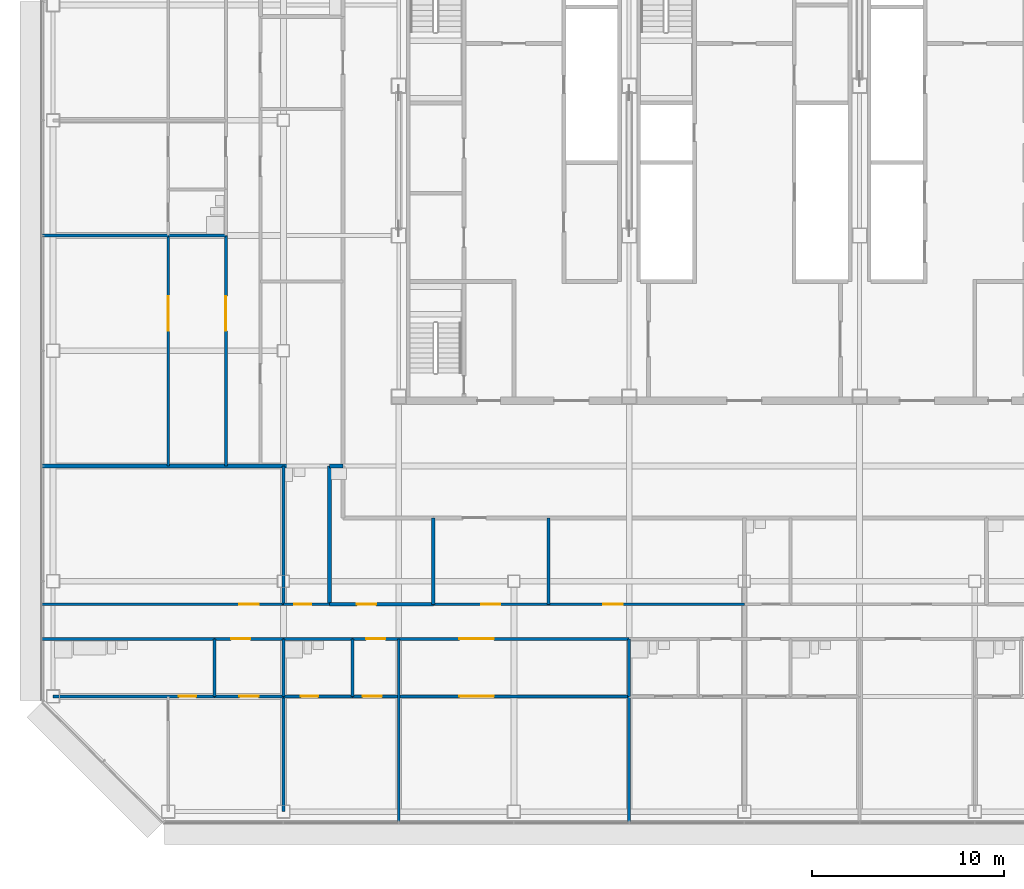
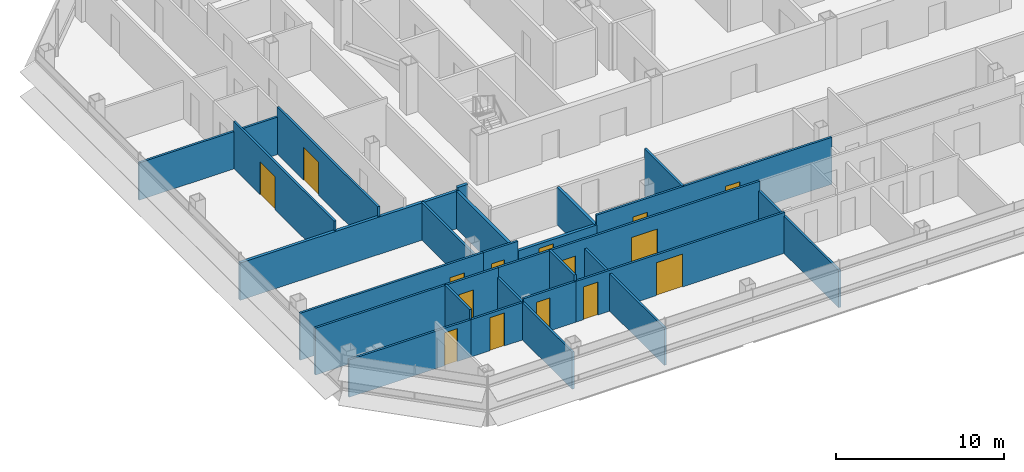
# One storey, part 20 of 27: 29 walls, 15 doors, 15 openings.
"""IFC4 building model written with IfcOpenShell, lengths in metres."""

import ifcopenshell
import ifcopenshell.guid

model = None  # the IFC model being written
_history = None  # IfcOwnerHistory: only IFC2X3 demands one
_inside = {}  # id of a spatial element -> (the spatial element, [elements in it])
_under = {}  # id of a project, library or spatial element -> (it, [spatial elements below it])
_declared = {}  # id of a project -> (the project, [libraries it declares])
_typed = {}  # id of a type object -> (the type object, [elements of that type])
_made_of = {}  # id of a material, layer set ... -> (it, [elements and type objects made of it])


def new_model(schema):
    """Start an empty IFC model of exactly this schema.

    Asked for "IFC4X3", IfcOpenShell would pick the latest addendum, in which some entities
    have other attributes; the version numbers below select the first issue.
    IFC2X3 requires an IfcOwnerHistory on every rooted entity: one is made here for all.
    """
    global model, _history
    if schema == "IFC4X3":
        model = ifcopenshell.file(schema_version=(4, 3, 0, 0))
    else:
        model = ifcopenshell.file(schema=schema)
    _inside.clear()
    _under.clear()
    _declared.clear()
    _typed.clear()
    _made_of.clear()
    _history = None
    if model.schema == "IFC2X3":
        org = make("IfcOrganization", Name="unknown")
        user = make(
            "IfcPersonAndOrganization",
            ThePerson=make("IfcPerson", FamilyName="unknown"),
            TheOrganization=org,
        )
        app = make(
            "IfcApplication",
            ApplicationDeveloper=org,
            Version="unknown",
            ApplicationFullName="unknown",
            ApplicationIdentifier="unknown",
        )
        _history = make(
            "IfcOwnerHistory",
            OwningUser=user,
            OwningApplication=app,
            ChangeAction="ADDED",
            CreationDate=0,
        )
    return model


def make(cls, **values):
    """One entity of the class cls with the attributes given. An attribute that is None is left unset."""
    return model.create_entity(
        cls, **{name: value for name, value in values.items() if value is not None}
    )


def rooted(cls, **values):
    """An entity with a GlobalId (a new one), such as an element, a storey or a relation."""
    return make(cls, GlobalId=ifcopenshell.guid.new(), OwnerHistory=_history, **values)


def si_unit(unit_type, name, prefix=None):
    """IfcSIUnit, for example si_unit("LENGTHUNIT", "METRE", prefix="MILLI")."""
    return make("IfcSIUnit", UnitType=unit_type, Prefix=prefix, Name=name)


def assignment(units):
    """IfcUnitAssignment: the units of a project."""
    return None if units is None else make("IfcUnitAssignment", Units=units)


def point(xyz):
    """IfcCartesianPoint."""
    return None if xyz is None else make("IfcCartesianPoint", Coordinates=xyz)


def direction(xyz):
    """IfcDirection."""
    return None if xyz is None else make("IfcDirection", DirectionRatios=xyz)


def frame(location, z_axis=None, x_axis=None):
    """IfcAxis2Placement3D, a coordinate frame: its origin and axes. An axis left out is left unset."""
    return make(
        "IfcAxis2Placement3D",
        Location=point(location),
        Axis=direction(z_axis),
        RefDirection=direction(x_axis),
    )


def frame_2d(location, x_axis=None):
    """IfcAxis2Placement2D, a coordinate frame in the plane: its origin and x axis."""
    return make(
        "IfcAxis2Placement2D", Location=point(location), RefDirection=direction(x_axis)
    )


def origin():
    """The frame at (0, 0, 0) with its axes left unset."""
    return frame((0.0, 0.0, 0.0))


def place(relative_to, where):
    """IfcLocalPlacement: puts the frame where relative to a parent placement (None: the world)."""
    return make(
        "IfcLocalPlacement", PlacementRelTo=relative_to, RelativePlacement=where
    )


def context(
    kind, dimensions, precision=None, world=None, true_north=None, identifier=None
):
    """IfcGeometricRepresentationContext, for example the 3D "Model" context."""
    return make(
        "IfcGeometricRepresentationContext",
        ContextIdentifier=identifier,
        ContextType=kind,
        CoordinateSpaceDimension=dimensions,
        Precision=precision,
        WorldCoordinateSystem=world,
        TrueNorth=true_north,
    )


def subcontext(parent, identifier, kind, view, scale=None):
    """IfcGeometricRepresentationSubContext, for example "Body" below "Model"."""
    return make(
        "IfcGeometricRepresentationSubContext",
        ContextIdentifier=identifier,
        ContextType=kind,
        ParentContext=parent,
        TargetScale=scale,
        TargetView=view,
    )


def project(units=None, contexts=None):
    """IfcProject with its units and contexts."""
    return rooted(
        "IfcProject",
        Name="project",
        RepresentationContexts=contexts,
        UnitsInContext=assignment(units),
    )


def spatial(cls, under=None, at=None, **own):
    """A site, building, storey or space (cls), placed at a placement, below another one or the project."""
    s = rooted(cls, ObjectPlacement=at, **own)
    if under is not None:
        _under.setdefault(under.id(), (under, []))[1].append(s)
    return s


def profile(cls, at=None, kind="AREA", **sizes):
    """A parametric profile (cls). Its sizes go by their IFC names, for example OverallWidth=200.0."""
    return make(cls, ProfileType=kind, Position=at, **sizes)


def rectangle(**sizes):
    """IfcRectangleProfileDef."""
    return profile("IfcRectangleProfileDef", **sizes)


def extrude(swept, where, along, depth):
    """IfcExtrudedAreaSolid: the profile swept, set in the frame where, extruded along a direction by depth."""
    return make(
        "IfcExtrudedAreaSolid",
        SweptArea=swept,
        Position=where,
        ExtrudedDirection=direction(along),
        Depth=depth,
    )


def shape(context_of_items, identifier, shape_type, items):
    """IfcShapeRepresentation: the items that make up one representation, for example the "Body"."""
    return make(
        "IfcShapeRepresentation",
        ContextOfItems=context_of_items,
        RepresentationIdentifier=identifier,
        RepresentationType=shape_type,
        Items=items,
    )


def material(Name=None, Category=None):
    """IfcMaterial."""
    return make("IfcMaterial", Name=Name, Category=Category)


def layer(
    of_material, thickness, ventilated=None, Name=None, Category=None, Priority=None
):
    """IfcMaterialLayer: one layer of a wall or slab, of a material (None: an air gap)."""
    return make(
        "IfcMaterialLayer",
        Material=of_material,
        LayerThickness=thickness,
        IsVentilated=ventilated,
        Name=Name,
        Category=Category,
        Priority=Priority,
    )


def layer_set(layers, Name=None):
    """IfcMaterialLayerSet."""
    return make("IfcMaterialLayerSet", MaterialLayers=layers, LayerSetName=Name)


def made_of(thing, what):
    """Note that an element or type object is made of a material, layer set ...; save() writes the relation."""
    if what is not None:
        _made_of.setdefault(what.id(), (what, []))[1].append(thing)
    return thing


def type_object(cls, material=None, **own):
    """A type object (cls), such as IfcWallType, which elements share."""
    return made_of(rooted(cls, **own), material)


def element(
    cls,
    number,
    at=None,
    inside=None,
    cuts=None,
    type_object=None,
    material=None,
    context=None,
    identifier="Body",
    shape_type=None,
    held_by="IfcProductDefinitionShape",
    body=None,
    shapes=None,
    **own,
):
    """One element of the class cls, such as IfcWall. Its Tag is "e" and its number.

    at: its placement. inside: the storey or other place that contains it. cuts: it is an
    opening in that element (IfcRelVoidsElement). A single representation is given by context,
    identifier, shape_type and body (its items); several are given by shapes. held_by: the class
    of the entity that holds the representations. save() writes the other relations.
    """
    e = rooted(cls, Tag="e%d" % number, ObjectPlacement=at, **own)
    if body is not None:
        shapes = [shape(context, identifier, shape_type, body)]
    if shapes is not None:
        e.Representation = make(held_by, Representations=shapes)
    if inside is not None:
        _inside.setdefault(inside.id(), (inside, []))[1].append(e)
    if cuts is not None:
        rooted(
            "IfcRelVoidsElement", RelatingBuildingElement=cuts, RelatedOpeningElement=e
        )
    if type_object is not None:
        _typed.setdefault(type_object.id(), (type_object, []))[1].append(e)
    return made_of(e, material)


def fill(opening, filler):
    """IfcRelFillsElement: the door or window that sits in an opening."""
    return rooted(
        "IfcRelFillsElement",
        RelatingOpeningElement=opening,
        RelatedBuildingElement=filler,
    )


def aggregate(whole, parts):
    """IfcRelAggregates: a whole, such as a stair, and the parts it consists of."""
    return rooted("IfcRelAggregates", RelatingObject=whole, RelatedObjects=parts)


def save(model, path):
    """Write the relations noted so far, then the file.

    IfcRelAggregates (storeys below a building ...), IfcRelContainedInSpatialStructure (elements
    in a storey), IfcRelDefinesByType, IfcRelAssociatesMaterial and IfcRelDeclares: one each for
    every whole, place, type object, material and project.
    """
    for whole, parts in _under.values():
        aggregate(whole, parts)
    for where, things in _inside.values():
        rooted(
            "IfcRelContainedInSpatialStructure",
            RelatedElements=things,
            RelatingStructure=where,
        )
    for kind, things in _typed.values():
        rooted("IfcRelDefinesByType", RelatedObjects=things, RelatingType=kind)
    for what, things in _made_of.values():
        rooted("IfcRelAssociatesMaterial", RelatedObjects=things, RelatingMaterial=what)
    for by, libraries in _declared.values():
        rooted("IfcRelDeclares", RelatingContext=by, RelatedDefinitions=libraries)
    model.write(path)


model = new_model("IFC4")

# Units and contexts
model_context = context("Model", 3, precision=1e-05, world=origin(), true_north=direction((0.0, 1.0)))
body_context = subcontext(model_context, "Body", "Model", "MODEL_VIEW")
ifc_project = project(units=[si_unit("LENGTHUNIT", "METRE"), si_unit("AREAUNIT", "SQUARE_METRE"), si_unit("VOLUMEUNIT", "CUBIC_METRE"), si_unit("PLANEANGLEUNIT", "RADIAN"), si_unit("MASSUNIT", "GRAM", prefix="KILO")], contexts=[model_context])

# Site, building, storey
site_placement = place(None, origin())
site = spatial("IfcSite", under=ifc_project, at=site_placement, CompositionType="ELEMENT")
building_placement = place(site_placement, origin())
building = spatial("IfcBuilding", under=site, at=building_placement, Name="Sorahane Residences", CompositionType="ELEMENT")
storey_placement = place(building_placement, frame((0.0, 0.0, 195.60009765625)))
storey = spatial("IfcBuildingStorey", under=building, at=storey_placement, Name="L45", CompositionType="ELEMENT", Elevation=195.60009765625)

# Walls
ifc_material_1 = material(Name="Concrete blockwork C20 wall", Category="masonry")
ifc_layer_1 = layer(ifc_material_1, 0.199951171875)
ifc_layer_set_1 = layer_set([ifc_layer_1], Name="Kitchen wall 200 EI 180")
wall_type_1 = type_object("IfcWallType", Name="Kitchen wall 200 EI 180", PredefinedType="SOLIDWALL", material=ifc_layer_set_1)
wall_1_placement = place(storey_placement, frame((2.39990234375, 10.800048828125, 0.0), z_axis=(0.0, 0.0, 1.0), x_axis=(0.0, 1.0, 0.0)))
element("IfcWall", 1, at=wall_1_placement, inside=storey, type_object=wall_type_1, Name="L45 kitchen wall", PredefinedType="SOLIDWALL", context=body_context, shape_type="SweptSolid", body=[
    extrude(rectangle(XDim=7.199951171875, YDim=0.199951171875, at=frame_2d((3.60009765625, 0.0))), origin(), (0.0, 0.0, 1.0), 2.719970703125),
])
wall_2_placement = place(storey_placement, frame((7.800048828125, 10.800048828125, 0.0), z_axis=(0.0, 0.0, 1.0), x_axis=(0.0, 1.0, 0.0)))
element("IfcWall", 2, at=wall_2_placement, inside=storey, type_object=wall_type_1, Name="L45 kitchen wall", PredefinedType="SOLIDWALL", context=body_context, shape_type="SweptSolid", body=[
    extrude(rectangle(XDim=4.5, YDim=0.199951171875, at=frame_2d((2.25, 0.0))), origin(), (0.0, 0.0, 1.0), 2.719970703125),
])

# Wall, opening, door
wall_3_placement = place(storey_placement, frame((2.39990234375, 10.800048828125, 0.0), z_axis=(0.0, 0.0, 1.0), x_axis=(1.0, 0.0, 0.0)))
wall_3 = element("IfcWall", 3, at=wall_3_placement, inside=storey, type_object=wall_type_1, Name="L45 kitchen wall", PredefinedType="SOLIDWALL", context=body_context, shape_type="SweptSolid", body=[
    extrude(rectangle(XDim=5.400146484375, YDim=0.199951171875, at=frame_2d((2.7001953125, 0.0))), origin(), (0.0, 0.0, 1.0), 2.719970703125),
])
opening_1_placement = place(wall_3_placement, frame((1.419921875, 0.0, 0.0)))
opening_1 = element("IfcOpeningElement", 4, at=opening_1_placement, cuts=wall_3, Name="Opening L45-04", PredefinedType="OPENING", context=body_context, shape_type="SweptSolid", body=[
    extrude(rectangle(XDim=1.0, YDim=2.39990234375, at=frame_2d((0.5, 1.199951171875))), frame((0.0, 0.10986328125, 0.0), z_axis=(0.0, -1.0, 0.0), x_axis=(1.0, 0.0, 0.0)), (0.0, 0.0, 1.0), 0.219970703125),
])
ifc_material_2 = material(Name="Steel", Category="steel")
door_type_1 = type_object("IfcDoorType", Name="Kitchen door 1000x2400 FD120", OperationType="NOTDEFINED", PredefinedType="DOOR", material=ifc_material_2)
door_1_placement = place(opening_1_placement, origin())
door_1 = element("IfcDoor", 5, at=door_1_placement, inside=storey, type_object=door_type_1, Name="Kitchen door L45-04", OperationType="SINGLE_SWING_LEFT", OverallHeight=2.39990234375, OverallWidth=1.0, PredefinedType="DOOR", context=body_context, shape_type="SweptSolid", body=[
    extrude(rectangle(XDim=1.0, YDim=2.39990234375, at=frame_2d((0.5, 1.199951171875))), frame((0.0, 0.02490234375, 0.0), z_axis=(0.0, -1.0, 0.0), x_axis=(1.0, 0.0, 0.0)), (0.0, 0.0, 1.0), 0.050048828125),
])
fill(opening_1, door_1)

# Wall
wall_4_placement = place(storey_placement, frame((2.39990234375, 18.0, 0.0), z_axis=(0.0, 0.0, 1.0), x_axis=(1.0, 0.0, 0.0)))
element("IfcWall", 6, at=wall_4_placement, inside=storey, type_object=wall_type_1, Name="L45 kitchen wall", PredefinedType="SOLIDWALL", context=body_context, shape_type="SweptSolid", body=[
    extrude(rectangle(XDim=0.7001953125, YDim=0.199951171875, at=frame_2d((0.35009765625, 0.0))), origin(), (0.0, 0.0, 1.0), 2.969970703125),
])

# Wall, opening, door
ifc_material_3 = material(Name="Gypsum board partition on steel studs", Category="steel")
ifc_layer_2 = layer(ifc_material_3, 0.14990234375)
ifc_layer_set_2 = layer_set([ifc_layer_2], Name="Partition 150 EI 90")
wall_type_2 = type_object("IfcWallType", Name="Partition 150 EI 90", PredefinedType="PARTITIONING", material=ifc_layer_set_2)
wall_5_placement = place(storey_placement, frame((-3.0, 18.0, 0.0), z_axis=(0.0, 0.0, 1.0), x_axis=(0.0, 1.0, 0.0)))
wall_5 = element("IfcWall", 7, at=wall_5_placement, inside=storey, type_object=wall_type_2, Name="L45 partition", PredefinedType="PARTITIONING", context=body_context, shape_type="SweptSolid", body=[
    extrude(rectangle(XDim=12.0, YDim=0.14990234375, at=frame_2d((6.0, 0.0))), origin(), (0.0, 0.0, 1.0), 3.419921875),
])
opening_2_placement = place(wall_5_placement, frame((7.0400390625, 0.0, 0.0)))
opening_2 = element("IfcOpeningElement", 8, at=opening_2_placement, cuts=wall_5, Name="Opening L45-37", PredefinedType="OPENING", context=body_context, shape_type="SweptSolid", body=[
    extrude(rectangle(XDim=1.800048828125, YDim=2.39990234375, at=frame_2d((0.89990234375, 1.199951171875))), frame((0.0, 0.0849609375, 0.0), z_axis=(0.0, -1.0, 0.0), x_axis=(1.0, 0.0, 0.0)), (0.0, 0.0, 1.0), 0.169921875),
])
ifc_material_4 = material(Name="Timber veneered fire door", Category="wood")
door_type_2 = type_object("IfcDoorType", Name="Double door 1800x2400 FD30", OperationType="NOTDEFINED", PredefinedType="DOOR", material=ifc_material_4)
door_2_placement = place(opening_2_placement, origin())
door_2 = element("IfcDoor", 9, at=door_2_placement, inside=storey, type_object=door_type_2, Name="Double door L45-37", OperationType="SINGLE_SWING_LEFT", OverallHeight=2.39990234375, OverallWidth=1.800048828125, PredefinedType="DOOR", context=body_context, shape_type="SweptSolid", body=[
    extrude(rectangle(XDim=1.800048828125, YDim=2.39990234375, at=frame_2d((0.89990234375, 1.199951171875))), frame((0.0, 0.02490234375, 0.0), z_axis=(0.0, -1.0, 0.0), x_axis=(1.0, 0.0, 0.0)), (0.0, 0.0, 1.0), 0.050048828125),
])
fill(opening_2, door_2)

wall_6_placement = place(storey_placement, frame((-6.0, 18.0, 0.0), z_axis=(0.0, 0.0, 1.0), x_axis=(0.0, 1.0, 0.0)))
wall_6 = element("IfcWall", 10, at=wall_6_placement, inside=storey, type_object=wall_type_2, Name="L45 partition", PredefinedType="PARTITIONING", context=body_context, shape_type="SweptSolid", body=[
    extrude(rectangle(XDim=12.0, YDim=0.14990234375, at=frame_2d((6.0, 0.0))), origin(), (0.0, 0.0, 1.0), 3.419921875),
])
opening_3_placement = place(wall_6_placement, frame((7.0400390625, 0.0, 0.0)))
opening_3 = element("IfcOpeningElement", 11, at=opening_3_placement, cuts=wall_6, Name="Opening L45-40", PredefinedType="OPENING", context=body_context, shape_type="SweptSolid", body=[
    extrude(rectangle(XDim=1.800048828125, YDim=2.39990234375, at=frame_2d((0.89990234375, 1.199951171875))), frame((0.0, 0.0849609375, 0.0), z_axis=(0.0, -1.0, 0.0), x_axis=(1.0, 0.0, 0.0)), (0.0, 0.0, 1.0), 0.169921875),
])
door_3_placement = place(opening_3_placement, origin())
door_3 = element("IfcDoor", 12, at=door_3_placement, inside=storey, type_object=door_type_2, Name="Double door L45-40", OperationType="SINGLE_SWING_LEFT", OverallHeight=2.39990234375, OverallWidth=1.800048828125, PredefinedType="DOOR", context=body_context, shape_type="SweptSolid", body=[
    extrude(rectangle(XDim=1.800048828125, YDim=2.39990234375, at=frame_2d((0.89990234375, 1.199951171875))), frame((0.0, 0.02490234375, 0.0), z_axis=(0.0, -1.0, 0.0), x_axis=(1.0, 0.0, 0.0)), (0.0, 0.0, 1.0), 0.050048828125),
])
fill(opening_3, door_3)

# Walls
wall_7_placement = place(storey_placement, frame((0.0, 0.0, 0.0), z_axis=(0.0, 0.0, 1.0), x_axis=(0.0, 1.0, 0.0)))
element("IfcWall", 13, at=wall_7_placement, inside=storey, type_object=wall_type_2, Name="L45 partition", PredefinedType="PARTITIONING", context=body_context, shape_type="SweptSolid", body=[
    extrude(rectangle(XDim=6.0, YDim=0.14990234375, at=frame_2d((3.0, 0.0))), origin(), (0.0, 0.0, 1.0), 2.719970703125),
])
wall_8_placement = place(storey_placement, frame((13.800048828125, 10.800048828125, 0.0), z_axis=(0.0, 0.0, 1.0), x_axis=(0.0, 1.0, 0.0)))
element("IfcWall", 14, at=wall_8_placement, inside=storey, type_object=wall_type_2, Name="L45 partition", PredefinedType="PARTITIONING", context=body_context, shape_type="SweptSolid", body=[
    extrude(rectangle(XDim=4.5, YDim=0.14990234375, at=frame_2d((2.25, 0.0))), origin(), (0.0, 0.0, 1.0), 3.419921875),
])
wall_9_placement = place(storey_placement, frame((18.0, -0.60009765625, 0.0), z_axis=(0.0, 0.0, 1.0), x_axis=(0.0, 1.0, 0.0)))
element("IfcWall", 15, at=wall_9_placement, inside=storey, type_object=wall_type_2, Name="L45 partition", PredefinedType="PARTITIONING", context=body_context, shape_type="SweptSolid", body=[
    extrude(rectangle(XDim=6.60009765625, YDim=0.14990234375, at=frame_2d((3.300048828125, 0.0))), origin(), (0.0, 0.0, 1.0), 2.719970703125),
])
wall_10_placement = place(storey_placement, frame((6.0, -0.60009765625, 0.0), z_axis=(0.0, 0.0, 1.0), x_axis=(0.0, 1.0, 0.0)))
element("IfcWall", 16, at=wall_10_placement, inside=storey, type_object=wall_type_2, Name="L45 partition", PredefinedType="PARTITIONING", context=body_context, shape_type="SweptSolid", body=[
    extrude(rectangle(XDim=9.60009765625, YDim=0.14990234375, at=frame_2d((4.800048828125, 0.0))), origin(), (0.0, 0.0, 1.0), 2.719970703125),
])

# Wall, opening, door
wall_11_placement = place(storey_placement, frame((-12.60009765625, 10.800048828125, 0.0), z_axis=(0.0, 0.0, 1.0), x_axis=(1.0, 0.0, 0.0)))
wall_11 = element("IfcWall", 17, at=wall_11_placement, inside=storey, type_object=wall_type_2, Name="L45 partition", PredefinedType="PARTITIONING", context=body_context, shape_type="SweptSolid", body=[
    extrude(rectangle(XDim=12.60009765625, YDim=0.14990234375, at=frame_2d((6.300048828125, 0.0))), origin(), (0.0, 0.0, 1.0), 3.419921875),
])
opening_4_placement = place(wall_11_placement, frame((10.300048828125, 0.0, 0.0)))
opening_4 = element("IfcOpeningElement", 18, at=opening_4_placement, cuts=wall_11, Name="Opening L45-02", PredefinedType="OPENING", context=body_context, shape_type="SweptSolid", body=[
    extrude(rectangle(XDim=1.0, YDim=2.39990234375, at=frame_2d((0.5, 1.199951171875))), frame((0.0, 0.0849609375, 0.0), z_axis=(0.0, -1.0, 0.0), x_axis=(1.0, 0.0, 0.0)), (0.0, 0.0, 1.0), 0.169921875),
])
ifc_material_5 = material(Name="Timber veneered fire door", Category="wood")
door_type_3 = type_object("IfcDoorType", Name="Room door 1000x2400 FD30", OperationType="NOTDEFINED", PredefinedType="DOOR", material=ifc_material_5)
door_4_placement = place(opening_4_placement, origin())
door_4 = element("IfcDoor", 19, at=door_4_placement, inside=storey, type_object=door_type_3, Name="Room door L45-02", OperationType="SINGLE_SWING_RIGHT", OverallHeight=2.39990234375, OverallWidth=1.0, PredefinedType="DOOR", context=body_context, shape_type="SweptSolid", body=[
    extrude(rectangle(XDim=1.0, YDim=2.39990234375, at=frame_2d((0.5, 1.199951171875))), frame((0.0, 0.02490234375, 0.0), z_axis=(0.0, -1.0, 0.0), x_axis=(1.0, 0.0, 0.0)), (0.0, 0.0, 1.0), 0.050048828125),
])
fill(opening_4, door_4)

# Wall, openings, doors
wall_12_placement = place(storey_placement, frame((7.800048828125, 10.800048828125, 0.0), z_axis=(0.0, 0.0, 1.0), x_axis=(1.0, 0.0, 0.0)))
wall_12 = element("IfcWall", 20, at=wall_12_placement, inside=storey, type_object=wall_type_2, Name="L45 partition", PredefinedType="PARTITIONING", context=body_context, shape_type="SweptSolid", body=[
    extrude(rectangle(XDim=16.199951171875, YDim=0.14990234375, at=frame_2d((8.10009765625, 0.0))), origin(), (0.0, 0.0, 1.0), 3.419921875),
])
opening_5_placement = place(wall_12_placement, frame((2.5, 0.0, 0.0)))
opening_5 = element("IfcOpeningElement", 21, at=opening_5_placement, cuts=wall_12, Name="Opening L45-01", PredefinedType="OPENING", context=body_context, shape_type="SweptSolid", body=[
    extrude(rectangle(XDim=1.0, YDim=2.39990234375, at=frame_2d((0.5, 1.199951171875))), frame((0.0, 0.0849609375, 0.0), z_axis=(0.0, -1.0, 0.0), x_axis=(1.0, 0.0, 0.0)), (0.0, 0.0, 1.0), 0.169921875),
])
opening_6_placement = place(wall_12_placement, frame((8.860107421875, 0.0, 0.0)))
opening_6 = element("IfcOpeningElement", 22, at=opening_6_placement, cuts=wall_12, Name="Opening L45-05", PredefinedType="OPENING", context=body_context, shape_type="SweptSolid", body=[
    extrude(rectangle(XDim=1.0, YDim=2.39990234375, at=frame_2d((0.5, 1.199951171875))), frame((0.0, 0.0849609375, 0.0), z_axis=(0.0, -1.0, 0.0), x_axis=(1.0, 0.0, 0.0)), (0.0, 0.0, 1.0), 0.169921875),
])
door_5_placement = place(opening_5_placement, frame((1.0, 0.0, 0.0), z_axis=(0.0, 0.0, 1.0), x_axis=(-1.0, 0.0, 0.0)))
door_5 = element("IfcDoor", 23, at=door_5_placement, inside=storey, type_object=door_type_3, Name="Room door L45-01", OperationType="SINGLE_SWING_LEFT", OverallHeight=2.39990234375, OverallWidth=1.0, PredefinedType="DOOR", context=body_context, shape_type="SweptSolid", body=[
    extrude(rectangle(XDim=1.0, YDim=2.39990234375, at=frame_2d((0.5, 1.199951171875))), frame((0.0, 0.02490234375, 0.0), z_axis=(0.0, -1.0, 0.0), x_axis=(1.0, 0.0, 0.0)), (0.0, 0.0, 1.0), 0.050048828125),
])
fill(opening_5, door_5)
door_6_placement = place(opening_6_placement, origin())
door_6 = element("IfcDoor", 24, at=door_6_placement, inside=storey, type_object=door_type_3, Name="Room door L45-05", OperationType="SINGLE_SWING_RIGHT", OverallHeight=2.39990234375, OverallWidth=1.0, PredefinedType="DOOR", context=body_context, shape_type="SweptSolid", body=[
    extrude(rectangle(XDim=1.0, YDim=2.39990234375, at=frame_2d((0.5, 1.199951171875))), frame((0.0, 0.02490234375, 0.0), z_axis=(0.0, -1.0, 0.0), x_axis=(1.0, 0.0, 0.0)), (0.0, 0.0, 1.0), 0.050048828125),
])
fill(opening_6, door_6)

# Wall
wall_13_placement = place(storey_placement, frame((-12.60009765625, 30.0, 0.0), z_axis=(0.0, 0.0, 1.0), x_axis=(1.0, 0.0, 0.0)))
element("IfcWall", 25, at=wall_13_placement, inside=storey, type_object=wall_type_2, Name="L45 partition", PredefinedType="PARTITIONING", context=body_context, shape_type="SweptSolid", body=[
    extrude(rectangle(XDim=6.60009765625, YDim=0.14990234375, at=frame_2d((3.300048828125, 0.0))), origin(), (0.0, 0.0, 1.0), 2.719970703125),
])

# Wall, opening, door
wall_14_placement = place(storey_placement, frame((-3.60009765625, 6.0, 0.0), z_axis=(0.0, 0.0, 1.0), x_axis=(1.0, 0.0, 0.0)))
wall_14 = element("IfcWall", 26, at=wall_14_placement, inside=storey, type_object=wall_type_2, Name="L45 partition", PredefinedType="PARTITIONING", context=body_context, shape_type="SweptSolid", body=[
    extrude(rectangle(XDim=3.60009765625, YDim=0.14990234375, at=frame_2d((1.800048828125, 0.0))), origin(), (0.0, 0.0, 1.0), 2.719970703125),
])
opening_7_placement = place(wall_14_placement, frame((1.300048828125, 0.0, 0.0)))
opening_7 = element("IfcOpeningElement", 27, at=opening_7_placement, cuts=wall_14, Name="Opening L45-10", PredefinedType="OPENING", context=body_context, shape_type="SweptSolid", body=[
    extrude(rectangle(XDim=1.0, YDim=2.39990234375, at=frame_2d((0.5, 1.199951171875))), frame((0.0, 0.0849609375, 0.0), z_axis=(0.0, -1.0, 0.0), x_axis=(1.0, 0.0, 0.0)), (0.0, 0.0, 1.0), 0.169921875),
])
door_7_placement = place(opening_7_placement, frame((1.0, 0.0, 0.0), z_axis=(0.0, 0.0, 1.0), x_axis=(-1.0, 0.0, 0.0)))
door_7 = element("IfcDoor", 28, at=door_7_placement, inside=storey, type_object=door_type_3, Name="Room door L45-10", OperationType="SINGLE_SWING_RIGHT", OverallHeight=2.39990234375, OverallWidth=1.0, PredefinedType="DOOR", context=body_context, shape_type="SweptSolid", body=[
    extrude(rectangle(XDim=1.0, YDim=2.39990234375, at=frame_2d((0.5, 1.199951171875))), frame((0.0, 0.02490234375, 0.0), z_axis=(0.0, -1.0, 0.0), x_axis=(1.0, 0.0, 0.0)), (0.0, 0.0, 1.0), 0.050048828125),
])
fill(opening_7, door_7)

# Wall, openings, doors
wall_15_placement = place(storey_placement, frame((3.60009765625, 6.0, 0.0), z_axis=(0.0, 0.0, 1.0), x_axis=(1.0, 0.0, 0.0)))
wall_15 = element("IfcWall", 29, at=wall_15_placement, inside=storey, type_object=wall_type_2, Name="L45 partition", PredefinedType="PARTITIONING", context=body_context, shape_type="SweptSolid", body=[
    extrude(rectangle(XDim=14.39990234375, YDim=0.14990234375, at=frame_2d((7.199951171875, 0.0))), origin(), (0.0, 0.0, 1.0), 2.969970703125),
])
opening_8_placement = place(wall_15_placement, frame((0.52001953125, 0.0, 0.0)))
opening_8 = element("IfcOpeningElement", 30, at=opening_8_placement, cuts=wall_15, Name="Opening L45-13", PredefinedType="OPENING", context=body_context, shape_type="SweptSolid", body=[
    extrude(rectangle(XDim=1.0, YDim=2.39990234375, at=frame_2d((0.5, 1.199951171875))), frame((0.0, 0.0849609375, 0.0), z_axis=(0.0, -1.0, 0.0), x_axis=(1.0, 0.0, 0.0)), (0.0, 0.0, 1.0), 0.169921875),
])
opening_9_placement = place(wall_15_placement, frame((5.56005859375, 0.0, 0.0)))
opening_9 = element("IfcOpeningElement", 31, at=opening_9_placement, cuts=wall_15, Name="Opening L45-15", PredefinedType="OPENING", context=body_context, shape_type="SweptSolid", body=[
    extrude(rectangle(XDim=1.800048828125, YDim=2.39990234375, at=frame_2d((0.89990234375, 1.199951171875))), frame((0.0, 0.0849609375, 0.0), z_axis=(0.0, -1.0, 0.0), x_axis=(1.0, 0.0, 0.0)), (0.0, 0.0, 1.0), 0.169921875),
])
door_8_placement = place(opening_9_placement, frame((1.800048828125, 0.0, 0.0), z_axis=(0.0, 0.0, 1.0), x_axis=(-1.0, 0.0, 0.0)))
door_8 = element("IfcDoor", 32, at=door_8_placement, inside=storey, type_object=door_type_2, Name="Double door L45-15", OperationType="SINGLE_SWING_LEFT", OverallHeight=2.39990234375, OverallWidth=1.800048828125, PredefinedType="DOOR", context=body_context, shape_type="SweptSolid", body=[
    extrude(rectangle(XDim=1.800048828125, YDim=2.39990234375, at=frame_2d((0.89990234375, 1.199951171875))), frame((0.0, 0.02490234375, 0.0), z_axis=(0.0, -1.0, 0.0), x_axis=(1.0, 0.0, 0.0)), (0.0, 0.0, 1.0), 0.050048828125),
])
fill(opening_9, door_8)
door_9_placement = place(opening_8_placement, frame((1.0, 0.0, 0.0), z_axis=(0.0, 0.0, 1.0), x_axis=(-1.0, 0.0, 0.0)))
door_9 = element("IfcDoor", 33, at=door_9_placement, inside=storey, type_object=door_type_3, Name="Room door L45-13", OperationType="SINGLE_SWING_LEFT", OverallHeight=2.39990234375, OverallWidth=1.0, PredefinedType="DOOR", context=body_context, shape_type="SweptSolid", body=[
    extrude(rectangle(XDim=1.0, YDim=2.39990234375, at=frame_2d((0.5, 1.199951171875))), frame((0.0, 0.02490234375, 0.0), z_axis=(0.0, -1.0, 0.0), x_axis=(1.0, 0.0, 0.0)), (0.0, 0.0, 1.0), 0.050048828125),
])
fill(opening_8, door_9)

# Wall, opening, door
wall_16_placement = place(storey_placement, frame((-3.60009765625, 9.0, 0.0), z_axis=(0.0, 0.0, 1.0), x_axis=(1.0, 0.0, 0.0)))
wall_16 = element("IfcWall", 34, at=wall_16_placement, inside=storey, type_object=wall_type_2, Name="L45 partition", PredefinedType="PARTITIONING", context=body_context, shape_type="SweptSolid", body=[
    extrude(rectangle(XDim=3.60009765625, YDim=0.14990234375, at=frame_2d((1.800048828125, 0.0))), origin(), (0.0, 0.0, 1.0), 3.419921875),
])
opening_10_placement = place(wall_16_placement, frame((0.8798828125, 0.0, 0.0)))
opening_10 = element("IfcOpeningElement", 35, at=opening_10_placement, cuts=wall_16, Name="Opening L45-06", PredefinedType="OPENING", context=body_context, shape_type="SweptSolid", body=[
    extrude(rectangle(XDim=1.0, YDim=2.39990234375, at=frame_2d((0.5, 1.199951171875))), frame((0.0, 0.0849609375, 0.0), z_axis=(0.0, -1.0, 0.0), x_axis=(1.0, 0.0, 0.0)), (0.0, 0.0, 1.0), 0.169921875),
])
door_10_placement = place(opening_10_placement, frame((1.0, 0.0, 0.0), z_axis=(0.0, 0.0, 1.0), x_axis=(-1.0, 0.0, 0.0)))
door_10 = element("IfcDoor", 36, at=door_10_placement, inside=storey, type_object=door_type_3, Name="Room door L45-06", OperationType="SINGLE_SWING_LEFT", OverallHeight=2.39990234375, OverallWidth=1.0, PredefinedType="DOOR", context=body_context, shape_type="SweptSolid", body=[
    extrude(rectangle(XDim=1.0, YDim=2.39990234375, at=frame_2d((0.5, 1.199951171875))), frame((0.0, 0.02490234375, 0.0), z_axis=(0.0, -1.0, 0.0), x_axis=(1.0, 0.0, 0.0)), (0.0, 0.0, 1.0), 0.050048828125),
])
fill(opening_10, door_10)

# Wall, openings, doors
wall_17_placement = place(storey_placement, frame((3.60009765625, 9.0, 0.0), z_axis=(0.0, 0.0, 1.0), x_axis=(1.0, 0.0, 0.0)))
wall_17 = element("IfcWall", 37, at=wall_17_placement, inside=storey, type_object=wall_type_2, Name="L45 partition", PredefinedType="PARTITIONING", context=body_context, shape_type="SweptSolid", body=[
    extrude(rectangle(XDim=14.39990234375, YDim=0.14990234375, at=frame_2d((7.199951171875, 0.0))), origin(), (0.0, 0.0, 1.0), 3.419921875),
])
opening_11_placement = place(wall_17_placement, frame((0.699951171875, 0.0, 0.0)))
opening_11 = element("IfcOpeningElement", 38, at=opening_11_placement, cuts=wall_17, Name="Opening L45-07", PredefinedType="OPENING", context=body_context, shape_type="SweptSolid", body=[
    extrude(rectangle(XDim=1.0, YDim=2.39990234375, at=frame_2d((0.5, 1.199951171875))), frame((0.0, 0.0849609375, 0.0), z_axis=(0.0, -1.0, 0.0), x_axis=(1.0, 0.0, 0.0)), (0.0, 0.0, 1.0), 0.169921875),
])
opening_12_placement = place(wall_17_placement, frame((5.56005859375, 0.0, 0.0)))
opening_12 = element("IfcOpeningElement", 39, at=opening_12_placement, cuts=wall_17, Name="Opening L45-08", PredefinedType="OPENING", context=body_context, shape_type="SweptSolid", body=[
    extrude(rectangle(XDim=1.800048828125, YDim=2.39990234375, at=frame_2d((0.89990234375, 1.199951171875))), frame((0.0, 0.0849609375, 0.0), z_axis=(0.0, -1.0, 0.0), x_axis=(1.0, 0.0, 0.0)), (0.0, 0.0, 1.0), 0.169921875),
])
door_11_placement = place(opening_12_placement, frame((1.800048828125, 0.0, 0.0), z_axis=(0.0, 0.0, 1.0), x_axis=(-1.0, 0.0, 0.0)))
door_11 = element("IfcDoor", 40, at=door_11_placement, inside=storey, type_object=door_type_2, Name="Double door L45-08", OperationType="SINGLE_SWING_LEFT", OverallHeight=2.39990234375, OverallWidth=1.800048828125, PredefinedType="DOOR", context=body_context, shape_type="SweptSolid", body=[
    extrude(rectangle(XDim=1.800048828125, YDim=2.39990234375, at=frame_2d((0.89990234375, 1.199951171875))), frame((0.0, 0.02490234375, 0.0), z_axis=(0.0, -1.0, 0.0), x_axis=(1.0, 0.0, 0.0)), (0.0, 0.0, 1.0), 0.050048828125),
])
fill(opening_12, door_11)
door_12_placement = place(opening_11_placement, frame((1.0, 0.0, 0.0), z_axis=(0.0, 0.0, 1.0), x_axis=(-1.0, 0.0, 0.0)))
door_12 = element("IfcDoor", 41, at=door_12_placement, inside=storey, type_object=door_type_3, Name="Room door L45-07", OperationType="SINGLE_SWING_RIGHT", OverallHeight=2.39990234375, OverallWidth=1.0, PredefinedType="DOOR", context=body_context, shape_type="SweptSolid", body=[
    extrude(rectangle(XDim=1.0, YDim=2.39990234375, at=frame_2d((0.5, 1.199951171875))), frame((0.0, 0.02490234375, 0.0), z_axis=(0.0, -1.0, 0.0), x_axis=(1.0, 0.0, 0.0)), (0.0, 0.0, 1.0), 0.050048828125),
])
fill(opening_11, door_12)

# Walls
ifc_material_6 = material(Name="Concrete blockwork C20 wall", Category="masonry")
ifc_layer_3 = layer(ifc_material_6, 0.199951171875)
ifc_layer_set_3 = layer_set([ifc_layer_3], Name="Party wall 200 EI 120")
wall_type_3 = type_object("IfcWallType", Name="Party wall 200 EI 120", PredefinedType="SOLIDWALL", material=ifc_layer_set_3)
wall_18_placement = place(storey_placement, frame((-12.60009765625, 18.0, 0.0), z_axis=(0.0, 0.0, 1.0), x_axis=(1.0, 0.0, 0.0)))
element("IfcWall", 42, at=wall_18_placement, inside=storey, type_object=wall_type_3, Name="L45 party wall", PredefinedType="SOLIDWALL", context=body_context, shape_type="SweptSolid", body=[
    extrude(rectangle(XDim=15.0, YDim=0.199951171875, at=frame_2d((7.5, 0.0))), origin(), (0.0, 0.0, 1.0), 2.719970703125),
])
ifc_material_7 = material(Name="Gypsum board partition on steel studs", Category="steel")
ifc_layer_4 = layer(ifc_material_7, 0.14990234375)
ifc_layer_set_4 = layer_set([ifc_layer_4], Name="Wet wall 150 EI 90")
wall_type_4 = type_object("IfcWallType", Name="Wet wall 150 EI 90", PredefinedType="PARTITIONING", material=ifc_layer_set_4)
wall_19_placement = place(storey_placement, frame((-3.60009765625, 6.0, 0.0), z_axis=(0.0, 0.0, 1.0), x_axis=(0.0, 1.0, 0.0)))
element("IfcWall", 43, at=wall_19_placement, inside=storey, type_object=wall_type_4, Name="L45 wet wall", PredefinedType="PARTITIONING", context=body_context, shape_type="SweptSolid", body=[
    extrude(rectangle(XDim=3.0, YDim=0.14990234375, at=frame_2d((1.5, 0.0))), origin(), (0.0, 0.0, 1.0), 3.419921875),
])
wall_20_placement = place(storey_placement, frame((0.0, 6.0, 0.0), z_axis=(0.0, 0.0, 1.0), x_axis=(0.0, 1.0, 0.0)))
element("IfcWall", 44, at=wall_20_placement, inside=storey, type_object=wall_type_4, Name="L45 wet wall", PredefinedType="PARTITIONING", context=body_context, shape_type="SweptSolid", body=[
    extrude(rectangle(XDim=3.0, YDim=0.14990234375, at=frame_2d((1.5, 0.0))), origin(), (0.0, 0.0, 1.0), 2.719970703125),
])
wall_21_placement = place(storey_placement, frame((0.0, 10.800048828125, 0.0), z_axis=(0.0, 0.0, 1.0), x_axis=(0.0, 1.0, 0.0)))
element("IfcWall", 45, at=wall_21_placement, inside=storey, type_object=wall_type_4, Name="L45 wet wall", PredefinedType="PARTITIONING", context=body_context, shape_type="SweptSolid", body=[
    extrude(rectangle(XDim=7.199951171875, YDim=0.14990234375, at=frame_2d((3.60009765625, 0.0))), origin(), (0.0, 0.0, 1.0), 2.719970703125),
])
wall_22_placement = place(storey_placement, frame((18.0, 6.0, 0.0), z_axis=(0.0, 0.0, 1.0), x_axis=(0.0, 1.0, 0.0)))
element("IfcWall", 46, at=wall_22_placement, inside=storey, type_object=wall_type_4, Name="L45 wet wall", PredefinedType="PARTITIONING", context=body_context, shape_type="SweptSolid", body=[
    extrude(rectangle(XDim=3.0, YDim=0.14990234375, at=frame_2d((1.5, 0.0))), origin(), (0.0, 0.0, 1.0), 2.719970703125),
])
wall_23_placement = place(storey_placement, frame((3.60009765625, 6.0, 0.0), z_axis=(0.0, 0.0, 1.0), x_axis=(0.0, 1.0, 0.0)))
element("IfcWall", 47, at=wall_23_placement, inside=storey, type_object=wall_type_4, Name="L45 wet wall", PredefinedType="PARTITIONING", context=body_context, shape_type="SweptSolid", body=[
    extrude(rectangle(XDim=3.0, YDim=0.14990234375, at=frame_2d((1.5, 0.0))), origin(), (0.0, 0.0, 1.0), 3.419921875),
])

# Wall, opening, door
wall_24_placement = place(storey_placement, frame((0.0, 10.800048828125, 0.0), z_axis=(0.0, 0.0, 1.0), x_axis=(1.0, 0.0, 0.0)))
wall_24 = element("IfcWall", 48, at=wall_24_placement, inside=storey, type_object=wall_type_4, Name="L45 wet wall", PredefinedType="PARTITIONING", context=body_context, shape_type="SweptSolid", body=[
    extrude(rectangle(XDim=2.39990234375, YDim=0.14990234375, at=frame_2d((1.199951171875, 0.0))), origin(), (0.0, 0.0, 1.0), 3.419921875),
])
opening_13_placement = place(wall_24_placement, frame((0.550048828125, 0.0, 0.0)))
opening_13 = element("IfcOpeningElement", 49, at=opening_13_placement, cuts=wall_24, Name="Opening L45-03", PredefinedType="OPENING", context=body_context, shape_type="SweptSolid", body=[
    extrude(rectangle(XDim=0.89990234375, YDim=2.39990234375, at=frame_2d((0.449951171875, 1.199951171875))), frame((0.0, 0.0849609375, 0.0), z_axis=(0.0, -1.0, 0.0), x_axis=(1.0, 0.0, 0.0)), (0.0, 0.0, 1.0), 0.169921875),
])
ifc_material_8 = material(Name="Timber veneered fire door", Category="wood")
door_type_4 = type_object("IfcDoorType", Name="Bathroom door 900x2400 FD30", OperationType="NOTDEFINED", PredefinedType="DOOR", material=ifc_material_8)
door_13_placement = place(opening_13_placement, frame((0.89990234375, 0.0, 0.0), z_axis=(0.0, 0.0, 1.0), x_axis=(-1.0, 0.0, 0.0)))
door_13 = element("IfcDoor", 50, at=door_13_placement, inside=storey, type_object=door_type_4, Name="Bathroom door L45-03", OperationType="SINGLE_SWING_LEFT", OverallHeight=2.39990234375, OverallWidth=0.89990234375, PredefinedType="DOOR", context=body_context, shape_type="SweptSolid", body=[
    extrude(rectangle(XDim=0.89990234375, YDim=2.39990234375, at=frame_2d((0.449951171875, 1.199951171875))), frame((0.0, 0.02490234375, 0.0), z_axis=(0.0, -1.0, 0.0), x_axis=(1.0, 0.0, 0.0)), (0.0, 0.0, 1.0), 0.050048828125),
])
fill(opening_13, door_13)

# Wall
wall_25_placement = place(storey_placement, frame((-6.0, 30.0, 0.0), z_axis=(0.0, 0.0, 1.0), x_axis=(1.0, 0.0, 0.0)))
element("IfcWall", 51, at=wall_25_placement, inside=storey, type_object=wall_type_4, Name="L45 wet wall", PredefinedType="PARTITIONING", context=body_context, shape_type="SweptSolid", body=[
    extrude(rectangle(XDim=3.0, YDim=0.14990234375, at=frame_2d((1.5, 0.0))), origin(), (0.0, 0.0, 1.0), 2.719970703125),
])

# Wall, opening, door
wall_26_placement = place(storey_placement, frame((-12.0, 6.0, 0.0), z_axis=(0.0, 0.0, 1.0), x_axis=(1.0, 0.0, 0.0)))
wall_26 = element("IfcWall", 52, at=wall_26_placement, inside=storey, type_object=wall_type_4, Name="L45 wet wall", PredefinedType="PARTITIONING", context=body_context, shape_type="SweptSolid", body=[
    extrude(rectangle(XDim=8.39990234375, YDim=0.14990234375, at=frame_2d((4.199951171875, 0.0))), origin(), (0.0, 0.0, 1.0), 2.719970703125),
])
opening_14_placement = place(wall_26_placement, frame((6.550048828125, 0.0, 0.0)))
opening_14 = element("IfcOpeningElement", 53, at=opening_14_placement, cuts=wall_26, Name="Opening L45-12", PredefinedType="OPENING", context=body_context, shape_type="SweptSolid", body=[
    extrude(rectangle(XDim=0.89990234375, YDim=2.39990234375, at=frame_2d((0.449951171875, 1.199951171875))), frame((0.0, 0.0849609375, 0.0), z_axis=(0.0, -1.0, 0.0), x_axis=(1.0, 0.0, 0.0)), (0.0, 0.0, 1.0), 0.169921875),
])
door_14_placement = place(opening_14_placement, frame((0.89990234375, 0.0, 0.0), z_axis=(0.0, 0.0, 1.0), x_axis=(-1.0, 0.0, 0.0)))
door_14 = element("IfcDoor", 54, at=door_14_placement, inside=storey, type_object=door_type_4, Name="Bathroom door L45-12", OperationType="SINGLE_SWING_LEFT", OverallHeight=2.39990234375, OverallWidth=0.89990234375, PredefinedType="DOOR", context=body_context, shape_type="SweptSolid", body=[
    extrude(rectangle(XDim=0.89990234375, YDim=2.39990234375, at=frame_2d((0.449951171875, 1.199951171875))), frame((0.0, 0.02490234375, 0.0), z_axis=(0.0, -1.0, 0.0), x_axis=(1.0, 0.0, 0.0)), (0.0, 0.0, 1.0), 0.050048828125),
])
fill(opening_14, door_14)

wall_27_placement = place(storey_placement, frame((0.0, 6.0, 0.0), z_axis=(0.0, 0.0, 1.0), x_axis=(1.0, 0.0, 0.0)))
wall_27 = element("IfcWall", 55, at=wall_27_placement, inside=storey, type_object=wall_type_4, Name="L45 wet wall", PredefinedType="PARTITIONING", context=body_context, shape_type="SweptSolid", body=[
    extrude(rectangle(XDim=3.60009765625, YDim=0.14990234375, at=frame_2d((1.800048828125, 0.0))), origin(), (0.0, 0.0, 1.0), 2.969970703125),
])
opening_15_placement = place(wall_27_placement, frame((0.909912109375, 0.0, 0.0)))
opening_15 = element("IfcOpeningElement", 56, at=opening_15_placement, cuts=wall_27, Name="Opening L45-14", PredefinedType="OPENING", context=body_context, shape_type="SweptSolid", body=[
    extrude(rectangle(XDim=0.89990234375, YDim=2.39990234375, at=frame_2d((0.449951171875, 1.199951171875))), frame((0.0, 0.0849609375, 0.0), z_axis=(0.0, -1.0, 0.0), x_axis=(1.0, 0.0, 0.0)), (0.0, 0.0, 1.0), 0.169921875),
])
door_15_placement = place(opening_15_placement, frame((0.89990234375, 0.0, 0.0), z_axis=(0.0, 0.0, 1.0), x_axis=(-1.0, 0.0, 0.0)))
door_15 = element("IfcDoor", 57, at=door_15_placement, inside=storey, type_object=door_type_4, Name="Bathroom door L45-14", OperationType="SINGLE_SWING_LEFT", OverallHeight=2.39990234375, OverallWidth=0.89990234375, PredefinedType="DOOR", context=body_context, shape_type="SweptSolid", body=[
    extrude(rectangle(XDim=0.89990234375, YDim=2.39990234375, at=frame_2d((0.449951171875, 1.199951171875))), frame((0.0, 0.02490234375, 0.0), z_axis=(0.0, -1.0, 0.0), x_axis=(1.0, 0.0, 0.0)), (0.0, 0.0, 1.0), 0.050048828125),
])
fill(opening_15, door_15)

# Walls
wall_28_placement = place(storey_placement, frame((-12.60009765625, 9.0, 0.0), z_axis=(0.0, 0.0, 1.0), x_axis=(1.0, 0.0, 0.0)))
element("IfcWall", 58, at=wall_28_placement, inside=storey, type_object=wall_type_4, Name="L45 wet wall", PredefinedType="PARTITIONING", context=body_context, shape_type="SweptSolid", body=[
    extrude(rectangle(XDim=9.0, YDim=0.14990234375, at=frame_2d((4.5, 0.0))), origin(), (0.0, 0.0, 1.0), 3.419921875),
])
wall_29_placement = place(storey_placement, frame((0.0, 9.0, 0.0), z_axis=(0.0, 0.0, 1.0), x_axis=(1.0, 0.0, 0.0)))
element("IfcWall", 59, at=wall_29_placement, inside=storey, type_object=wall_type_4, Name="L45 wet wall", PredefinedType="PARTITIONING", context=body_context, shape_type="SweptSolid", body=[
    extrude(rectangle(XDim=3.60009765625, YDim=0.14990234375, at=frame_2d((1.800048828125, 0.0))), origin(), (0.0, 0.0, 1.0), 3.419921875),
])

save(model, "model.ifc")
